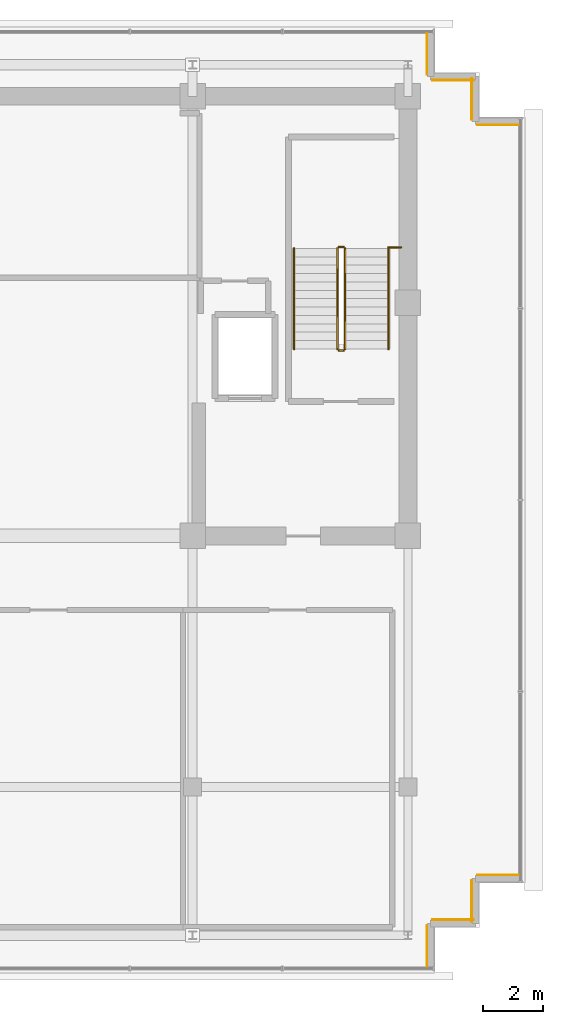
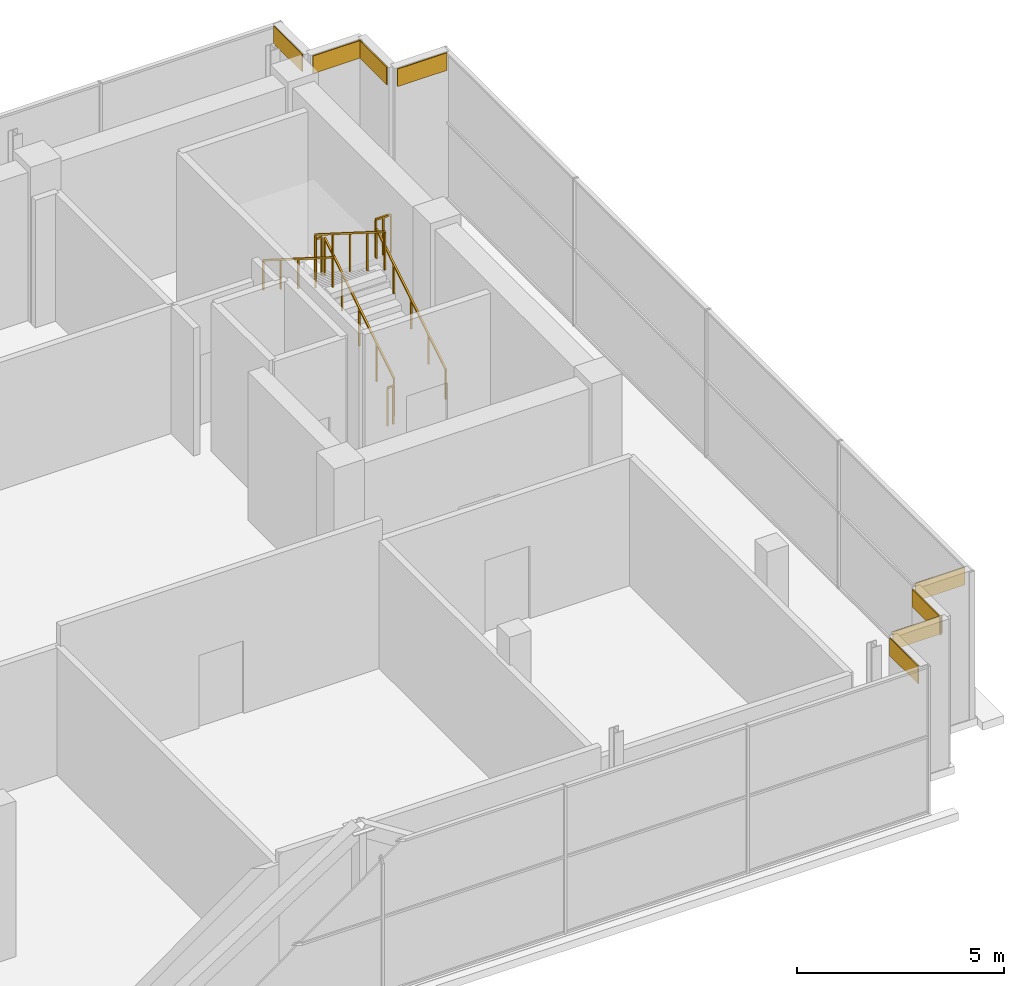
# One storey, part 28 of 28: 8 coverings, 7 railings.
"""IFC4 building model written with IfcOpenShell, lengths in metres."""

import ifcopenshell
import ifcopenshell.guid

model = None  # the IFC model being written
_history = None  # IfcOwnerHistory: only IFC2X3 demands one
_inside = {}  # id of a spatial element -> (the spatial element, [elements in it])
_under = {}  # id of a project, library or spatial element -> (it, [spatial elements below it])
_declared = {}  # id of a project -> (the project, [libraries it declares])
_typed = {}  # id of a type object -> (the type object, [elements of that type])
_made_of = {}  # id of a material, layer set ... -> (it, [elements and type objects made of it])


def new_model(schema):
    """Start an empty IFC model of exactly this schema.

    Asked for "IFC4X3", IfcOpenShell would pick the latest addendum, in which some entities
    have other attributes; the version numbers below select the first issue.
    IFC2X3 requires an IfcOwnerHistory on every rooted entity: one is made here for all.
    """
    global model, _history
    if schema == "IFC4X3":
        model = ifcopenshell.file(schema_version=(4, 3, 0, 0))
    else:
        model = ifcopenshell.file(schema=schema)
    _inside.clear()
    _under.clear()
    _declared.clear()
    _typed.clear()
    _made_of.clear()
    _history = None
    if model.schema == "IFC2X3":
        org = make("IfcOrganization", Name="unknown")
        user = make(
            "IfcPersonAndOrganization",
            ThePerson=make("IfcPerson", FamilyName="unknown"),
            TheOrganization=org,
        )
        app = make(
            "IfcApplication",
            ApplicationDeveloper=org,
            Version="unknown",
            ApplicationFullName="unknown",
            ApplicationIdentifier="unknown",
        )
        _history = make(
            "IfcOwnerHistory",
            OwningUser=user,
            OwningApplication=app,
            ChangeAction="ADDED",
            CreationDate=0,
        )
    return model


def make(cls, **values):
    """One entity of the class cls with the attributes given. An attribute that is None is left unset."""
    return model.create_entity(
        cls, **{name: value for name, value in values.items() if value is not None}
    )


def rooted(cls, **values):
    """An entity with a GlobalId (a new one), such as an element, a storey or a relation."""
    return make(cls, GlobalId=ifcopenshell.guid.new(), OwnerHistory=_history, **values)


def si_unit(unit_type, name, prefix=None):
    """IfcSIUnit, for example si_unit("LENGTHUNIT", "METRE", prefix="MILLI")."""
    return make("IfcSIUnit", UnitType=unit_type, Prefix=prefix, Name=name)


def assignment(units):
    """IfcUnitAssignment: the units of a project."""
    return None if units is None else make("IfcUnitAssignment", Units=units)


def point(xyz):
    """IfcCartesianPoint."""
    return None if xyz is None else make("IfcCartesianPoint", Coordinates=xyz)


def direction(xyz):
    """IfcDirection."""
    return None if xyz is None else make("IfcDirection", DirectionRatios=xyz)


def frame(location, z_axis=None, x_axis=None):
    """IfcAxis2Placement3D, a coordinate frame: its origin and axes. An axis left out is left unset."""
    return make(
        "IfcAxis2Placement3D",
        Location=point(location),
        Axis=direction(z_axis),
        RefDirection=direction(x_axis),
    )


def frame_2d(location, x_axis=None):
    """IfcAxis2Placement2D, a coordinate frame in the plane: its origin and x axis."""
    return make(
        "IfcAxis2Placement2D", Location=point(location), RefDirection=direction(x_axis)
    )


def origin():
    """The frame at (0, 0, 0) with its axes left unset."""
    return frame((0.0, 0.0, 0.0))


def origin_2d():
    """The frame at (0, 0) in the plane with its x axis left unset."""
    return frame_2d((0.0, 0.0))


def place(relative_to, where):
    """IfcLocalPlacement: puts the frame where relative to a parent placement (None: the world)."""
    return make(
        "IfcLocalPlacement", PlacementRelTo=relative_to, RelativePlacement=where
    )


def context(
    kind, dimensions, precision=None, world=None, true_north=None, identifier=None
):
    """IfcGeometricRepresentationContext, for example the 3D "Model" context."""
    return make(
        "IfcGeometricRepresentationContext",
        ContextIdentifier=identifier,
        ContextType=kind,
        CoordinateSpaceDimension=dimensions,
        Precision=precision,
        WorldCoordinateSystem=world,
        TrueNorth=true_north,
    )


def subcontext(parent, identifier, kind, view, scale=None):
    """IfcGeometricRepresentationSubContext, for example "Body" below "Model"."""
    return make(
        "IfcGeometricRepresentationSubContext",
        ContextIdentifier=identifier,
        ContextType=kind,
        ParentContext=parent,
        TargetScale=scale,
        TargetView=view,
    )


def project(units=None, contexts=None):
    """IfcProject with its units and contexts."""
    return rooted(
        "IfcProject",
        Name="project",
        RepresentationContexts=contexts,
        UnitsInContext=assignment(units),
    )


def spatial(cls, under=None, at=None, **own):
    """A site, building, storey or space (cls), placed at a placement, below another one or the project."""
    s = rooted(cls, ObjectPlacement=at, **own)
    if under is not None:
        _under.setdefault(under.id(), (under, []))[1].append(s)
    return s


def profile(cls, at=None, kind="AREA", **sizes):
    """A parametric profile (cls). Its sizes go by their IFC names, for example OverallWidth=200.0."""
    return make(cls, ProfileType=kind, Position=at, **sizes)


def rectangle(**sizes):
    """IfcRectangleProfileDef."""
    return profile("IfcRectangleProfileDef", **sizes)


def extrude(swept, where, along, depth):
    """IfcExtrudedAreaSolid: the profile swept, set in the frame where, extruded along a direction by depth."""
    return make(
        "IfcExtrudedAreaSolid",
        SweptArea=swept,
        Position=where,
        ExtrudedDirection=direction(along),
        Depth=depth,
    )


def shape(context_of_items, identifier, shape_type, items):
    """IfcShapeRepresentation: the items that make up one representation, for example the "Body"."""
    return make(
        "IfcShapeRepresentation",
        ContextOfItems=context_of_items,
        RepresentationIdentifier=identifier,
        RepresentationType=shape_type,
        Items=items,
    )


def source(mapping_origin, context_of_items, identifier, shape_type, items):
    """IfcRepresentationMap: a shape defined once, which mapped items show again and again."""
    return make(
        "IfcRepresentationMap",
        MappingOrigin=mapping_origin,
        MappedRepresentation=shape(context_of_items, identifier, shape_type, items),
    )


def transform(
    local_origin,
    x_axis=None,
    y_axis=None,
    z_axis=None,
    scale=None,
    scale2=None,
    scale3=None,
    uniform=True,
):
    """IfcCartesianTransformationOperator3D, or its non-uniform kind. x_axis, y_axis, z_axis: its Axis1, 2, 3."""
    if uniform:
        return make(
            "IfcCartesianTransformationOperator3D",
            Axis1=direction(x_axis),
            Axis2=direction(y_axis),
            LocalOrigin=point(local_origin),
            Scale=scale,
            Axis3=direction(z_axis),
        )
    return make(
        "IfcCartesianTransformationOperator3DnonUniform",
        Axis1=direction(x_axis),
        Axis2=direction(y_axis),
        LocalOrigin=point(local_origin),
        Scale=scale,
        Axis3=direction(z_axis),
        Scale2=scale2,
        Scale3=scale3,
    )


def mapped(mapping_source, mapping_target):
    """IfcMappedItem: shows the shape of a source again, moved by a transform."""
    return make(
        "IfcMappedItem", MappingSource=mapping_source, MappingTarget=mapping_target
    )


def material(Name=None, Category=None):
    """IfcMaterial."""
    return make("IfcMaterial", Name=Name, Category=Category)


def layer(
    of_material, thickness, ventilated=None, Name=None, Category=None, Priority=None
):
    """IfcMaterialLayer: one layer of a wall or slab, of a material (None: an air gap)."""
    return make(
        "IfcMaterialLayer",
        Material=of_material,
        LayerThickness=thickness,
        IsVentilated=ventilated,
        Name=Name,
        Category=Category,
        Priority=Priority,
    )


def layer_set(layers, Name=None):
    """IfcMaterialLayerSet."""
    return make("IfcMaterialLayerSet", MaterialLayers=layers, LayerSetName=Name)


def made_of(thing, what):
    """Note that an element or type object is made of a material, layer set ...; save() writes the relation."""
    if what is not None:
        _made_of.setdefault(what.id(), (what, []))[1].append(thing)
    return thing


def type_object(cls, material=None, **own):
    """A type object (cls), such as IfcWallType, which elements share."""
    return made_of(rooted(cls, **own), material)


def element(
    cls,
    number,
    at=None,
    inside=None,
    cuts=None,
    type_object=None,
    material=None,
    context=None,
    identifier="Body",
    shape_type=None,
    held_by="IfcProductDefinitionShape",
    body=None,
    shapes=None,
    **own,
):
    """One element of the class cls, such as IfcWall. Its Tag is "e" and its number.

    at: its placement. inside: the storey or other place that contains it. cuts: it is an
    opening in that element (IfcRelVoidsElement). A single representation is given by context,
    identifier, shape_type and body (its items); several are given by shapes. held_by: the class
    of the entity that holds the representations. save() writes the other relations.
    """
    e = rooted(cls, Tag="e%d" % number, ObjectPlacement=at, **own)
    if body is not None:
        shapes = [shape(context, identifier, shape_type, body)]
    if shapes is not None:
        e.Representation = make(held_by, Representations=shapes)
    if inside is not None:
        _inside.setdefault(inside.id(), (inside, []))[1].append(e)
    if cuts is not None:
        rooted(
            "IfcRelVoidsElement", RelatingBuildingElement=cuts, RelatedOpeningElement=e
        )
    if type_object is not None:
        _typed.setdefault(type_object.id(), (type_object, []))[1].append(e)
    return made_of(e, material)


def aggregate(whole, parts):
    """IfcRelAggregates: a whole, such as a stair, and the parts it consists of."""
    return rooted("IfcRelAggregates", RelatingObject=whole, RelatedObjects=parts)


def save(model, path):
    """Write the relations noted so far, then the file.

    IfcRelAggregates (storeys below a building ...), IfcRelContainedInSpatialStructure (elements
    in a storey), IfcRelDefinesByType, IfcRelAssociatesMaterial and IfcRelDeclares: one each for
    every whole, place, type object, material and project.
    """
    for whole, parts in _under.values():
        aggregate(whole, parts)
    for where, things in _inside.values():
        rooted(
            "IfcRelContainedInSpatialStructure",
            RelatedElements=things,
            RelatingStructure=where,
        )
    for kind, things in _typed.values():
        rooted("IfcRelDefinesByType", RelatedObjects=things, RelatingType=kind)
    for what, things in _made_of.values():
        rooted("IfcRelAssociatesMaterial", RelatedObjects=things, RelatingMaterial=what)
    for by, libraries in _declared.values():
        rooted("IfcRelDeclares", RelatingContext=by, RelatedDefinitions=libraries)
    model.write(path)


model = new_model("IFC4")

# Units and contexts
model_context = context("Model", 3, precision=1e-05, world=origin(), true_north=direction((0.0, 1.0)))
body_context = subcontext(model_context, "Body", "Model", "MODEL_VIEW")
ifc_project = project(units=[si_unit("LENGTHUNIT", "METRE"), si_unit("AREAUNIT", "SQUARE_METRE"), si_unit("VOLUMEUNIT", "CUBIC_METRE"), si_unit("PLANEANGLEUNIT", "RADIAN"), si_unit("MASSUNIT", "GRAM", prefix="KILO")], contexts=[model_context])

# Site, building, storey
site_placement = place(None, origin())
site = spatial("IfcSite", under=ifc_project, at=site_placement, CompositionType="ELEMENT")
building_placement = place(site_placement, origin())
building = spatial("IfcBuilding", under=site, at=building_placement, Name="Zarnakvel Exchange Tower", CompositionType="ELEMENT")
storey_placement = place(building_placement, frame((0.0, 0.0, 290.0)))
storey = spatial("IfcBuildingStorey", under=building, at=storey_placement, Name="Crown L81", CompositionType="ELEMENT", Elevation=290.0)

# Railings
ifc_material_1 = material(Name="Brushed Stainless Steel", Category="steel")
railing_type_1 = type_object("IfcRailingType", Name="HR-01", PredefinedType="HANDRAIL", material=ifc_material_1)
railing_1_placement = place(storey_placement, frame((13.75, 5.050048828125, 0.177001953125)))
element("IfcRailing", 1, at=railing_1_placement, inside=storey, type_object=railing_type_1, Name="Crown L81 ST-02 stair handrail 1", PredefinedType="HANDRAIL", context=body_context, shape_type="SweptSolid", body=[
    extrude(rectangle(XDim=0.048095703125, YDim=0.048095703125, at=origin_2d()), frame((0.0, 0.0, 0.8759765625), z_axis=(0.0, 0.845372108799, 0.534177870812), x_axis=(-1.0, 0.0, 0.0)), (0.0, 0.0, 1.0), 3.974365234375),
    extrude(rectangle(XDim=0.0419921875, YDim=0.0419921875, at=origin_2d()), origin(), (0.0, 0.0, 1.0), 0.851806640625),
    extrude(rectangle(XDim=0.0419921875, YDim=0.0419921875, at=origin_2d()), frame((0.0, 0.83984375, 0.53076171875)), (0.0, 0.0, 1.0), 0.851806640625),
    extrude(rectangle(XDim=0.0419921875, YDim=0.0419921875, at=origin_2d()), frame((0.0, 1.679931640625, 1.0615234375)), (0.0, 0.0, 1.0), 0.851806640625),
    extrude(rectangle(XDim=0.0419921875, YDim=0.0419921875, at=origin_2d()), frame((0.0, 2.52001953125, 1.59228515625)), (0.0, 0.0, 1.0), 0.851806640625),
    extrude(rectangle(XDim=0.0419921875, YDim=0.0419921875, at=origin_2d()), frame((0.0, 3.35986328125, 2.123046875)), (0.0, 0.0, 1.0), 0.851806640625),
])
railing_2_placement = place(storey_placement, frame((10.590087890625, 8.409912109375, 2.476806640625)))
element("IfcRailing", 2, at=railing_2_placement, inside=storey, type_object=railing_type_1, Name="Crown L81 ST-02 stair handrail 2", PredefinedType="HANDRAIL", context=body_context, shape_type="SweptSolid", body=[
    extrude(rectangle(XDim=0.048095703125, YDim=0.048095703125, at=origin_2d()), frame((0.0, 0.0, 0.8759765625), z_axis=(0.0, -0.845344368971, 0.534221768416), x_axis=(1.0, 0.0, 0.0)), (0.0, 0.0, 1.0), 3.974609375),
    extrude(rectangle(XDim=0.0419921875, YDim=0.0419921875, at=origin_2d()), origin(), (0.0, 0.0, 1.0), 0.851806640625),
    extrude(rectangle(XDim=0.0419921875, YDim=0.0419921875, at=origin_2d()), frame((0.0, -0.83984375, 0.53076171875)), (0.0, 0.0, 1.0), 0.851806640625),
    extrude(rectangle(XDim=0.0419921875, YDim=0.0419921875, at=origin_2d()), frame((0.0, -1.679931640625, 1.0615234375)), (0.0, 0.0, 1.0), 0.851806640625),
    extrude(rectangle(XDim=0.0419921875, YDim=0.0419921875, at=origin_2d()), frame((0.0, -2.52001953125, 1.592529296875)), (0.0, 0.0, 1.0), 0.851806640625),
    extrude(rectangle(XDim=0.0419921875, YDim=0.0419921875, at=origin_2d()), frame((0.0, -3.35986328125, 2.123291015625)), (0.0, 0.0, 1.0), 0.851806640625),
])
ifc_material_2 = material(Name="Architectural Bronze Anodised Aluminium", Category="aluminium")
railing_type_2 = type_object("IfcRailingType", Name="SG-01", PredefinedType="GUARDRAIL", material=ifc_material_2)
railing_3_placement = place(storey_placement, frame((12.300048828125, 5.050048828125, 0.177001953125)))
element("IfcRailing", 3, at=railing_3_placement, inside=storey, type_object=railing_type_2, Name="Crown L81 ST-02 stair guard 1", PredefinedType="GUARDRAIL", context=body_context, shape_type="SweptSolid", body=[
    extrude(rectangle(XDim=0.048095703125, YDim=0.048095703125, at=origin_2d()), frame((0.0, 0.0, 1.1259765625), z_axis=(0.0, 0.845372108799, 0.534177870812), x_axis=(-1.0, 0.0, 0.0)), (0.0, 0.0, 1.0), 3.974365234375),
    extrude(rectangle(XDim=0.0419921875, YDim=0.0419921875, at=origin_2d()), origin(), (0.0, 0.0, 1.0), 1.101806640625),
    extrude(rectangle(XDim=0.0419921875, YDim=0.0419921875, at=origin_2d()), frame((0.0, 0.83984375, 0.53076171875)), (0.0, 0.0, 1.0), 1.101806640625),
    extrude(rectangle(XDim=0.0419921875, YDim=0.0419921875, at=origin_2d()), frame((0.0, 1.679931640625, 1.0615234375)), (0.0, 0.0, 1.0), 1.101806640625),
    extrude(rectangle(XDim=0.0419921875, YDim=0.0419921875, at=origin_2d()), frame((0.0, 2.52001953125, 1.59228515625)), (0.0, 0.0, 1.0), 1.101806640625),
    extrude(rectangle(XDim=0.0419921875, YDim=0.0419921875, at=origin_2d()), frame((0.0, 3.35986328125, 2.123046875)), (0.0, 0.0, 1.0), 1.101806640625),
])
railing_4_placement = place(storey_placement, frame((12.25, 8.4599609375, 2.300048828125)))
element("IfcRailing", 4, at=railing_4_placement, inside=storey, type_object=railing_type_2, Name="Crown L81 ST-02 stair guard 2", PredefinedType="GUARDRAIL", context=body_context, shape_type="SweptSolid", body=[
    extrude(rectangle(XDim=0.048095703125, YDim=0.048095703125, at=origin_2d()), frame((0.0, 0.0, 1.1259765625), z_axis=(-1.0, 0.0, 0.0), x_axis=(0.0, -1.0, 0.0)), (0.0, 0.0, 1.0), 0.159912109375),
    extrude(rectangle(XDim=0.0419921875, YDim=0.0419921875, at=origin_2d()), origin(), (0.0, 0.0, 1.0), 1.101806640625),
    extrude(rectangle(XDim=0.0419921875, YDim=0.0419921875, at=origin_2d()), frame((-0.159912109375, 0.0, 0.0)), (0.0, 0.0, 1.0), 1.101806640625),
])
railing_5_placement = place(storey_placement, frame((12.0400390625, 8.409912109375, 2.476806640625)))
element("IfcRailing", 5, at=railing_5_placement, inside=storey, type_object=railing_type_2, Name="Crown L81 ST-02 stair guard 3", PredefinedType="GUARDRAIL", context=body_context, shape_type="SweptSolid", body=[
    extrude(rectangle(XDim=0.048095703125, YDim=0.048095703125, at=origin_2d()), frame((0.0, 0.0, 1.1259765625), z_axis=(0.0, -0.845344368971, 0.534221768416), x_axis=(1.0, 0.0, 0.0)), (0.0, 0.0, 1.0), 3.974609375),
    extrude(rectangle(XDim=0.0419921875, YDim=0.0419921875, at=origin_2d()), origin(), (0.0, 0.0, 1.0), 1.101806640625),
    extrude(rectangle(XDim=0.0419921875, YDim=0.0419921875, at=origin_2d()), frame((0.0, -0.83984375, 0.53076171875)), (0.0, 0.0, 1.0), 1.101806640625),
    extrude(rectangle(XDim=0.0419921875, YDim=0.0419921875, at=origin_2d()), frame((0.0, -1.679931640625, 1.0615234375)), (0.0, 0.0, 1.0), 1.101806640625),
    extrude(rectangle(XDim=0.0419921875, YDim=0.0419921875, at=origin_2d()), frame((0.0, -2.52001953125, 1.592529296875)), (0.0, 0.0, 1.0), 1.101806640625),
    extrude(rectangle(XDim=0.0419921875, YDim=0.0419921875, at=origin_2d()), frame((0.0, -3.35986328125, 2.123291015625)), (0.0, 0.0, 1.0), 1.101806640625),
])
railing_6_placement = place(storey_placement, frame((12.25, 5.0, 0.0)))
element("IfcRailing", 6, at=railing_6_placement, inside=storey, type_object=railing_type_2, Name="Crown L81 ST-02 stair guard 4", PredefinedType="GUARDRAIL", context=body_context, shape_type="SweptSolid", body=[
    extrude(rectangle(XDim=0.048095703125, YDim=0.048095703125, at=origin_2d()), frame((0.0, 0.0, 1.1259765625), z_axis=(-1.0, 0.0, 0.0), x_axis=(0.0, -1.0, 0.0)), (0.0, 0.0, 1.0), 0.159912109375),
    extrude(rectangle(XDim=0.0419921875, YDim=0.0419921875, at=origin_2d()), origin(), (0.0, 0.0, 1.0), 1.101806640625),
    extrude(rectangle(XDim=0.0419921875, YDim=0.0419921875, at=origin_2d()), frame((-0.159912109375, 0.0, 0.0)), (0.0, 0.0, 1.0), 1.101806640625),
])
railing_7_placement = place(storey_placement, frame((13.75, 8.449951171875, 2.300048828125)))
element("IfcRailing", 7, at=railing_7_placement, inside=storey, type_object=railing_type_2, Name="Crown L81 ST-02 Landing Slot Guardrail", PredefinedType="GUARDRAIL", context=body_context, shape_type="SweptSolid", body=[
    extrude(rectangle(XDim=0.048095703125, YDim=0.048095703125, at=origin_2d()), frame((0.0, 0.0, 1.1259765625), z_axis=(1.0, 0.0, 0.0), x_axis=(0.0, 1.0, 0.0)), (0.0, 0.0, 1.0), 0.429931640625),
    extrude(rectangle(XDim=0.0419921875, YDim=0.0419921875, at=origin_2d()), origin(), (0.0, 0.0, 1.0), 1.101806640625),
    extrude(rectangle(XDim=0.0419921875, YDim=0.0419921875, at=origin_2d()), frame((0.21484375, 0.0, 0.0)), (0.0, 0.0, 1.0), 1.101806640625),
    extrude(rectangle(XDim=0.0419921875, YDim=0.0419921875, at=origin_2d()), frame((0.429931640625, 0.0, 0.0)), (0.0, 0.0, 1.0), 1.101806640625),
])

# Coverings
ifc_material_3 = material(Name="Glazed Turquoise Ceramic Architectural Tile", Category="ceramic")
ifc_layer = layer(ifc_material_3, 0.028076171875)
ifc_layer_set = layer_set([ifc_layer], Name="Glazed Turquoise Ceramic Architectural Tile")
covering_type = type_object("IfcCoveringType", Name="CL-01", PredefinedType="CLADDING", material=ifc_layer_set)
shared_shape = source(origin(), body_context, "Body", "SweptSolid", [
    extrude(rectangle(XDim=1.3798828125, YDim=0.028076171875, at=origin_2d()), origin(), (0.0, 0.0, 1.0), 0.52001953125),
])
for number, where, z_axis, x_axis, name in (
    (8, (15.0380859375, 14.909912109375, 3.840087890625), (0.0, 0.0, 1.0), (0.0, 1.0, 0.0), "Crown L81 Ceramic Spandrel Tilework CL-01"),
    (9, (15.909912109375, 14.0380859375, 3.840087890625), (0.0, 0.0, 1.0), (-1.0, 0.0, 0.0), "Crown L81 Ceramic Spandrel Tilework CL-01"),
    (10, (16.5380859375, 13.409912109375, 3.840087890625), (0.0, 0.0, 1.0), (0.0, 1.0, 0.0), "Crown L81 Ceramic Spandrel Tilework CL-01"),
    (11, (17.409912109375, 12.5380859375, 3.840087890625), (0.0, 0.0, 1.0), (-1.0, 0.0, 0.0), "Crown L81 Ceramic Spandrel Tilework CL-01"),
    (12, (17.409912109375, -12.5380859375, 3.840087890625), (0.0, 0.0, 1.0), (1.0, 0.0, 0.0), "Crown L81 Ceramic Spandrel Tilework CL-01"),
    (13, (16.5380859375, -13.409912109375, 3.840087890625), (0.0, 0.0, 1.0), (0.0, 1.0, 0.0), "Crown L81 Ceramic Spandrel Tilework CL-01"),
    (14, (15.909912109375, -14.0380859375, 3.840087890625), (0.0, 0.0, 1.0), (1.0, 0.0, 0.0), "Crown L81 Ceramic Spandrel Tilework CL-01"),
    (15, (15.0380859375, -14.909912109375, 3.840087890625), (0.0, 0.0, 1.0), (0.0, 1.0, 0.0), "Crown L81 Ceramic Spandrel Tilework CL-01"),
):
    element("IfcCovering", number, at=place(storey_placement, frame(where, z_axis=z_axis, x_axis=x_axis)), inside=storey, type_object=covering_type, Name=name, PredefinedType="CLADDING", context=body_context, shape_type="MappedRepresentation", body=[
        mapped(shared_shape, transform((0.0, 0.0, 0.0), x_axis=(1.0, 0.0, 0.0), y_axis=(0.0, 1.0, 0.0), z_axis=(0.0, 0.0, 1.0), scale=1.0)),
    ])

save(model, "model.ifc")
